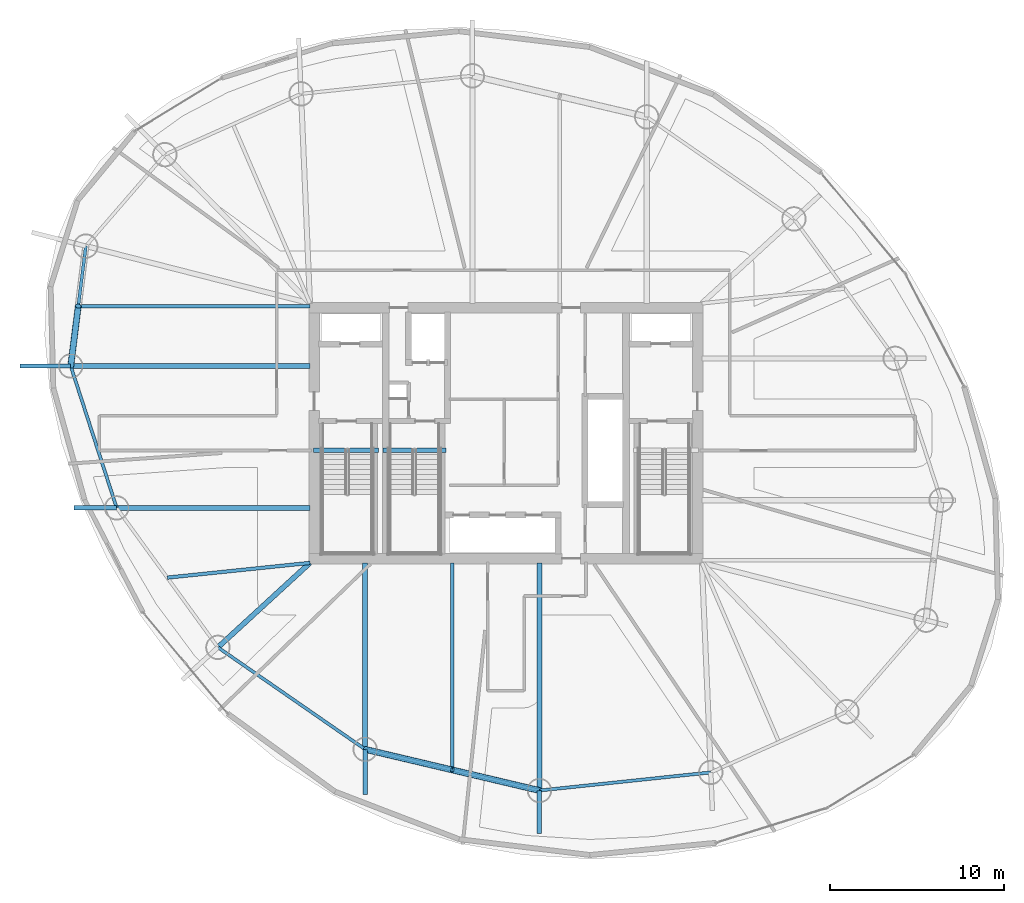
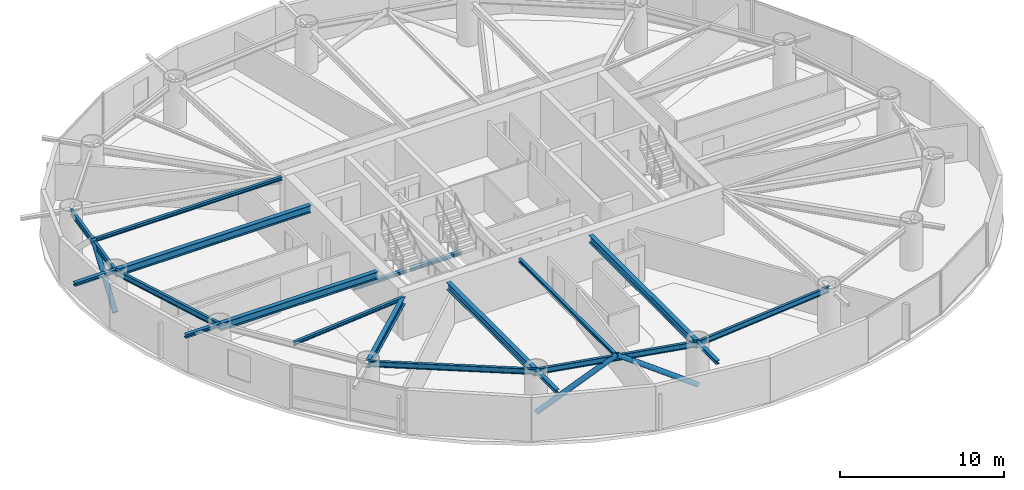
# One storey, part 3 of 20: 19 beams, 3 members.
"""IFC4 building model written with IfcOpenShell, lengths in metres."""

from ifc_helpers import new_model, si_unit, direction, frame, origin, origin_2d, place, context, subcontext, project, spatial, hollow_circle, i_section, extrude, material, material_profile, profile_set, type_object, element, save


model = new_model("IFC4")

# Units and contexts
model_context = context("Model", 3, precision=1e-05, world=origin(), true_north=direction((0.0, 1.0)))
body_context = subcontext(model_context, "Body", "Model", "MODEL_VIEW")
ifc_project = project(units=[si_unit("LENGTHUNIT", "METRE"), si_unit("AREAUNIT", "SQUARE_METRE"), si_unit("VOLUMEUNIT", "CUBIC_METRE"), si_unit("PLANEANGLEUNIT", "RADIAN"), si_unit("MASSUNIT", "GRAM", prefix="KILO")], contexts=[model_context])

# Site, building, storey
site_placement = place(None, origin())
site = spatial("IfcSite", under=ifc_project, at=site_placement, CompositionType="ELEMENT")
building_placement = place(site_placement, origin())
building = spatial("IfcBuilding", under=site, at=building_placement, Name="Bramvorn Convention Spire", CompositionType="ELEMENT")
storey_placement = place(building_placement, frame((0.0, 0.0, 144.800048828125)))
storey = spatial("IfcBuildingStorey", under=building, at=storey_placement, Name="L36", CompositionType="ELEMENT", Elevation=144.800048828125)

# Beams
ifc_material = material(Name="Steel CSA G40.21 Grade 350 (350W)", Category="steel")
ifc_material_profile_1 = material_profile(ifc_material, i_section(OverallWidth=0.201904296875, OverallDepth=0.2470703125, WebThickness=0.00732421875, FlangeThickness=0.010986328125, FilletRadius=0.011962890625, at=origin_2d()))
ifc_profile_set_1 = profile_set([ifc_material_profile_1], Name="Steel CSA G40.21 Grade 350 (350W) - W250X49")
beam_type_1 = type_object("IfcBeamType", Name="BM-W250X49", PredefinedType="JOIST", material=ifc_profile_set_1)
beam_1_placement = place(storey_placement, frame((26.75, 33.294921875, 3.136474609375), z_axis=(-1.0, 0.0, 0.0), x_axis=(0.0, -1.0, 0.0)))
element("IfcBeam", 1, at=beam_1_placement, inside=storey, type_object=beam_type_1, Name="L36 composite floor joist 09", PredefinedType="JOIST", context=body_context, shape_type="SweptSolid", body=[
    extrude(i_section(OverallWidth=0.201904296875, OverallDepth=0.2470703125, WebThickness=0.00732421875, FlangeThickness=0.010986328125, FilletRadius=0.011962890625, at=origin_2d()), origin(), (0.0, 0.0, 1.0), 13.30078125),
])
beam_2_placement = place(storey_placement, frame((26.75, 18.550048828125, 3.136474609375), z_axis=(-0.994705076194, -0.102770673804, 0.0), x_axis=(0.102770673804, -0.994705076194, 0.0)))
element("IfcBeam", 2, at=beam_2_placement, inside=storey, type_object=beam_type_1, Name="L36 composite floor joist 11", PredefinedType="JOIST", context=body_context, shape_type="SweptSolid", body=[
    extrude(i_section(OverallWidth=0.201904296875, OverallDepth=0.2470703125, WebThickness=0.00732421875, FlangeThickness=0.010986328125, FilletRadius=0.011962890625, at=origin_2d()), origin(), (0.0, 0.0, 1.0), 8.23388671875),
])
beam_3_placement = place(storey_placement, frame((34.920654296875, 18.550048828125, 3.136474609375), z_axis=(0.0, -1.0, 0.0), x_axis=(1.0, 0.0, 0.0)))
element("IfcBeam", 3, at=beam_3_placement, inside=storey, type_object=beam_type_1, Name="L36 composite floor joist 13", PredefinedType="JOIST", context=body_context, shape_type="SweptSolid", body=[
    extrude(i_section(OverallWidth=0.201904296875, OverallDepth=0.2470703125, WebThickness=0.00732421875, FlangeThickness=0.010986328125, FilletRadius=0.011962890625, at=origin_2d()), origin(), (0.0, 0.0, 1.0), 11.8857421875),
])
ifc_material_profile_2 = material_profile(ifc_material, i_section(OverallWidth=0.25390625, OverallDepth=0.2529296875, WebThickness=0.008544921875, FlangeThickness=0.01416015625, FilletRadius=0.011962890625, at=origin_2d()))
ifc_profile_set_2 = profile_set([ifc_material_profile_2], Name="Steel CSA G40.21 Grade 350 (350W) - W250X73")
beam_type_2 = type_object("IfcBeamType", Name="BM-W250X73", PredefinedType="BEAM", material=ifc_profile_set_2)
beam_4_placement = place(storey_placement, frame((13.016357421875, 29.851806640625, 3.133544921875), z_axis=(-1.0, 0.0, 0.0), x_axis=(0.0, -1.0, 0.0)))
element("IfcBeam", 4, at=beam_4_placement, inside=storey, type_object=beam_type_2, Name="L36 slab-edge cantilever tip beam MC10", PredefinedType="BEAM", context=body_context, shape_type="SweptSolid", body=[
    extrude(i_section(OverallWidth=0.25390625, OverallDepth=0.2529296875, WebThickness=0.008544921875, FlangeThickness=0.01416015625, FilletRadius=0.011962890625, at=origin_2d()), origin(), (0.0, 0.0, 1.0), 2.912841796875),
])
beam_5_placement = place(storey_placement, frame((15.654296875, 21.706787109375, 3.133544921875), z_axis=(-1.0, 0.0, 0.0), x_axis=(0.0, -1.0, 0.0)))
element("IfcBeam", 5, at=beam_5_placement, inside=storey, type_object=beam_type_2, Name="L36 slab-edge cantilever tip beam MC11", PredefinedType="BEAM", context=body_context, shape_type="SweptSolid", body=[
    extrude(i_section(OverallWidth=0.25390625, OverallDepth=0.2529296875, WebThickness=0.008544921875, FlangeThickness=0.01416015625, FilletRadius=0.011962890625, at=origin_2d()), origin(), (0.0, 0.0, 1.0), 2.439697265625),
])
beam_6_placement = place(storey_placement, frame((29.917236328125, 7.845947265625, 3.133544921875), z_axis=(0.0, -1.0, 0.0), x_axis=(1.0, 0.0, 0.0)))
element("IfcBeam", 6, at=beam_6_placement, inside=storey, type_object=beam_type_2, Name="L36 slab-edge cantilever tip beam MC13", PredefinedType="BEAM", context=body_context, shape_type="SweptSolid", body=[
    extrude(i_section(OverallWidth=0.25390625, OverallDepth=0.2529296875, WebThickness=0.008544921875, FlangeThickness=0.01416015625, FilletRadius=0.011962890625, at=origin_2d()), origin(), (0.0, 0.0, 1.0), 2.604736328125),
])
beam_7_placement = place(storey_placement, frame((39.924072265625, 5.482666015625, 3.133544921875), z_axis=(0.0, -1.0, 0.0), x_axis=(1.0, 0.0, 0.0)))
element("IfcBeam", 7, at=beam_7_placement, inside=storey, type_object=beam_type_2, Name="L36 slab-edge cantilever tip beam MC14", PredefinedType="BEAM", context=body_context, shape_type="SweptSolid", body=[
    extrude(i_section(OverallWidth=0.25390625, OverallDepth=0.2529296875, WebThickness=0.008544921875, FlangeThickness=0.01416015625, FilletRadius=0.011962890625, at=origin_2d()), origin(), (0.0, 0.0, 1.0), 2.46484375),
])
beam_8_placement = place(storey_placement, frame((26.949951171875, 25.010009765625, -0.12646484375), z_axis=(1.0, 0.0, 0.0), x_axis=(0.0, 1.0, 0.0)))
element("IfcBeam", 8, at=beam_8_placement, inside=storey, type_object=beam_type_2, Name="L36 ST1 stair arrival header beam", PredefinedType="BEAM", context=body_context, shape_type="SweptSolid", body=[
    extrude(i_section(OverallWidth=0.25390625, OverallDepth=0.2529296875, WebThickness=0.008544921875, FlangeThickness=0.01416015625, FilletRadius=0.011962890625, at=origin_2d()), origin(), (0.0, 0.0, 1.0), 3.739990234375),
])
beam_9_placement = place(storey_placement, frame((30.949951171875, 25.010009765625, -0.12646484375), z_axis=(1.0, 0.0, 0.0), x_axis=(0.0, 1.0, 0.0)))
element("IfcBeam", 9, at=beam_9_placement, inside=storey, type_object=beam_type_2, Name="L36 ST3 stair arrival header beam", PredefinedType="BEAM", context=body_context, shape_type="SweptSolid", body=[
    extrude(i_section(OverallWidth=0.25390625, OverallDepth=0.2529296875, WebThickness=0.008544921875, FlangeThickness=0.01416015625, FilletRadius=0.011962890625, at=origin_2d()), origin(), (0.0, 0.0, 1.0), 3.610107421875),
])
ifc_material_profile_3 = material_profile(ifc_material, i_section(OverallWidth=0.180908203125, OverallDepth=0.4169921875, WebThickness=0.010986328125, FlangeThickness=0.018310546875, FilletRadius=0.01611328125, at=origin_2d()))
ifc_profile_set_3 = profile_set([ifc_material_profile_3], Name="Steel CSA G40.21 Grade 350 (350W) - W410X85")
beam_type_3 = type_object("IfcBeamType", Name="BM-W410X85", PredefinedType="JOIST", material=ifc_profile_set_3)
beam_10_placement = place(storey_placement, frame((13.88232421875, 36.73779296875, 3.051513671875), z_axis=(-0.124775053879, -0.992185056292, 0.0), x_axis=(0.992185056292, -0.124775053879, 0.0)))
element("IfcBeam", 10, at=beam_10_placement, inside=storey, type_object=beam_type_3, Name="L36 mega-column ring beam 09", PredefinedType="JOIST", context=body_context, shape_type="SweptSolid", body=[
    extrude(i_section(OverallWidth=0.180908203125, OverallDepth=0.4169921875, WebThickness=0.010986328125, FlangeThickness=0.018310546875, FilletRadius=0.01611328125, at=origin_2d()), origin(), (0.0, 0.0, 1.0), 6.940185546875),
])
beam_11_placement = place(storey_placement, frame((13.016357421875, 29.851806640625, 3.051513671875), z_axis=(0.308114853612, -0.951349166701, 0.0), x_axis=(0.951349166701, 0.308114853612, 0.0)))
element("IfcBeam", 11, at=beam_11_placement, inside=storey, type_object=beam_type_3, Name="L36 mega-column ring beam 10", PredefinedType="JOIST", context=body_context, shape_type="SweptSolid", body=[
    extrude(i_section(OverallWidth=0.180908203125, OverallDepth=0.4169921875, WebThickness=0.010986328125, FlangeThickness=0.018310546875, FilletRadius=0.01611328125, at=origin_2d()), origin(), (0.0, 0.0, 1.0), 8.5615234375),
])
beam_12_placement = place(storey_placement, frame((21.465087890625, 13.700927734375, 3.051513671875), z_axis=(0.822033166673, -0.569439613032, 0.0), x_axis=(0.569439613032, 0.822033166673, 0.0)))
element("IfcBeam", 12, at=beam_12_placement, inside=storey, type_object=beam_type_3, Name="L36 mega-column ring beam 12", PredefinedType="JOIST", context=body_context, shape_type="SweptSolid", body=[
    extrude(i_section(OverallWidth=0.180908203125, OverallDepth=0.4169921875, WebThickness=0.010986328125, FlangeThickness=0.018310546875, FilletRadius=0.01611328125, at=origin_2d()), origin(), (0.0, 0.0, 1.0), 10.281982421875),
])
beam_13_placement = place(storey_placement, frame((29.917236328125, 7.845947265625, 3.051513671875), z_axis=(0.97322750491, -0.229843911572, 0.0), x_axis=(0.229843911572, 0.97322750491, 0.0)))
element("IfcBeam", 13, at=beam_13_placement, inside=storey, type_object=beam_type_3, Name="L36 mega-column ring beam 13", PredefinedType="JOIST", context=body_context, shape_type="SweptSolid", body=[
    extrude(i_section(OverallWidth=0.180908203125, OverallDepth=0.4169921875, WebThickness=0.010986328125, FlangeThickness=0.018310546875, FilletRadius=0.01611328125, at=origin_2d()), origin(), (0.0, 0.0, 1.0), 10.2822265625),
])
beam_14_placement = place(storey_placement, frame((39.924072265625, 5.482666015625, 3.051513671875), z_axis=(0.994473491975, 0.104987969596, 0.0), x_axis=(-0.104987969596, 0.994473491975, 0.0)))
element("IfcBeam", 14, at=beam_14_placement, inside=storey, type_object=beam_type_3, Name="L36 mega-column ring beam 14", PredefinedType="JOIST", context=body_context, shape_type="SweptSolid", body=[
    extrude(i_section(OverallWidth=0.180908203125, OverallDepth=0.4169921875, WebThickness=0.010986328125, FlangeThickness=0.018310546875, FilletRadius=0.01611328125, at=origin_2d()), origin(), (0.0, 0.0, 1.0), 9.892333984375),
])
ifc_material_profile_4 = material_profile(ifc_material, i_section(OverallWidth=0.2919921875, OverallDepth=0.551025390625, WebThickness=0.01513671875, FlangeThickness=0.0244140625, FilletRadius=0.01904296875, at=origin_2d()))
ifc_profile_set_4 = profile_set([ifc_material_profile_4], Name="Steel CSA G40.21 Grade 350 (350W) - W530X182")
beam_type_4 = type_object("IfcBeamType", Name="BM-W530X182", PredefinedType="BEAM", material=ifc_profile_set_4)
beam_15_placement = place(storey_placement, frame((26.75, 29.851806640625, 2.984375), z_axis=(-1.0, 0.0, 0.0), x_axis=(0.0, -1.0, 0.0)))
element("IfcBeam", 15, at=beam_15_placement, inside=storey, type_object=beam_type_4, Name="L36 radial floor girder MC10", PredefinedType="BEAM", context=body_context, shape_type="SweptSolid", body=[
    extrude(i_section(OverallWidth=0.2919921875, OverallDepth=0.551025390625, WebThickness=0.01513671875, FlangeThickness=0.0244140625, FilletRadius=0.01904296875, at=origin_2d()), origin(), (0.0, 0.0, 1.0), 13.733642578125),
])
beam_16_placement = place(storey_placement, frame((26.75, 21.706787109375, 2.984375), z_axis=(-1.0, 0.0, 0.0), x_axis=(0.0, -1.0, 0.0)))
element("IfcBeam", 16, at=beam_16_placement, inside=storey, type_object=beam_type_4, Name="L36 radial floor girder MC11", PredefinedType="BEAM", context=body_context, shape_type="SweptSolid", body=[
    extrude(i_section(OverallWidth=0.2919921875, OverallDepth=0.551025390625, WebThickness=0.01513671875, FlangeThickness=0.0244140625, FilletRadius=0.01904296875, at=origin_2d()), origin(), (0.0, 0.0, 1.0), 11.095703125),
])
beam_17_placement = place(storey_placement, frame((26.75, 18.550048828125, 2.984375), z_axis=(-0.736833323746, -0.676074443399, 0.0), x_axis=(0.676074443399, -0.736833323746, 0.0)))
element("IfcBeam", 17, at=beam_17_placement, inside=storey, type_object=beam_type_4, Name="L36 radial floor girder MC12", PredefinedType="BEAM", context=body_context, shape_type="SweptSolid", body=[
    extrude(i_section(OverallWidth=0.2919921875, OverallDepth=0.551025390625, WebThickness=0.01513671875, FlangeThickness=0.0244140625, FilletRadius=0.01904296875, at=origin_2d()), origin(), (0.0, 0.0, 1.0), 7.17236328125),
])
beam_18_placement = place(storey_placement, frame((29.917236328125, 18.550048828125, 2.984375), z_axis=(0.0, -1.0, 0.0), x_axis=(1.0, 0.0, 0.0)))
element("IfcBeam", 18, at=beam_18_placement, inside=storey, type_object=beam_type_4, Name="L36 radial floor girder MC13", PredefinedType="BEAM", context=body_context, shape_type="SweptSolid", body=[
    extrude(i_section(OverallWidth=0.2919921875, OverallDepth=0.551025390625, WebThickness=0.01513671875, FlangeThickness=0.0244140625, FilletRadius=0.01904296875, at=origin_2d()), origin(), (0.0, 0.0, 1.0), 10.7041015625),
])
beam_19_placement = place(storey_placement, frame((39.924072265625, 18.550048828125, 2.984375), z_axis=(0.0, -1.0, 0.0), x_axis=(1.0, 0.0, 0.0)))
element("IfcBeam", 19, at=beam_19_placement, inside=storey, type_object=beam_type_4, Name="L36 radial floor girder MC14", PredefinedType="BEAM", context=body_context, shape_type="SweptSolid", body=[
    extrude(i_section(OverallWidth=0.2919921875, OverallDepth=0.551025390625, WebThickness=0.01513671875, FlangeThickness=0.0244140625, FilletRadius=0.01904296875, at=origin_2d()), origin(), (0.0, 0.0, 1.0), 13.0673828125),
])

# Members
ifc_material_profile_5 = material_profile(ifc_material, hollow_circle(Radius=0.177734375, WallThickness=0.015869140625, at=origin_2d()))
ifc_profile_set_5 = profile_set([ifc_material_profile_5], Name="Steel CSA G40.21 Grade 350 (350W) - CHS356X16")
member_type = type_object("IfcMemberType", Name="MBR-CHS356X16", PredefinedType="BRACE", material=ifc_profile_set_5)
member_placement = place(storey_placement, frame((13.016357421875, 29.851806640625, 0.0), z_axis=(0.090966454148, 0.723116649599, 0.684709730683), x_axis=(-0.992180152714, 0.124814039917, 0.0)))
element("IfcMember", 20, at=member_placement, inside=storey, type_object=member_type, Name="L36 perimeter Gothic lancet brace 9B", PredefinedType="BRACE", context=body_context, shape_type="SweptSolid", body=[
    extrude(hollow_circle(Radius=0.177734375, WallThickness=0.015869140625, at=origin_2d()), origin(), (0.0, 0.0, 1.0), 4.76123046875),
])
for number, where, z_axis, x_axis, name in (
    (21, (29.917236328125, 7.845947265625, 0.0), (0.82191146009, -0.194108103193, 0.53552179792), (0.229843911572, 0.97322750491, 0.0), "L36 perimeter Gothic lancet brace 13A"),
    (22, (39.924072265625, 5.482666015625, 0.0), (-0.82191146009, 0.194108103193, 0.53552179792), (-0.229843911572, -0.97322750491, 0.0), "L36 perimeter Gothic lancet brace 13B"),
):
    element("IfcMember", number, at=place(storey_placement, frame(where, z_axis=z_axis, x_axis=x_axis)), inside=storey, type_object=member_type, Name=name, PredefinedType="BRACE", context=body_context, shape_type="SweptSolid", body=[
        extrude(hollow_circle(Radius=0.177734375, WallThickness=0.015869140625, at=origin_2d()), origin(), (0.0, 0.0, 1.0), 6.087646484375),
    ])

save(model, "model.ifc")
